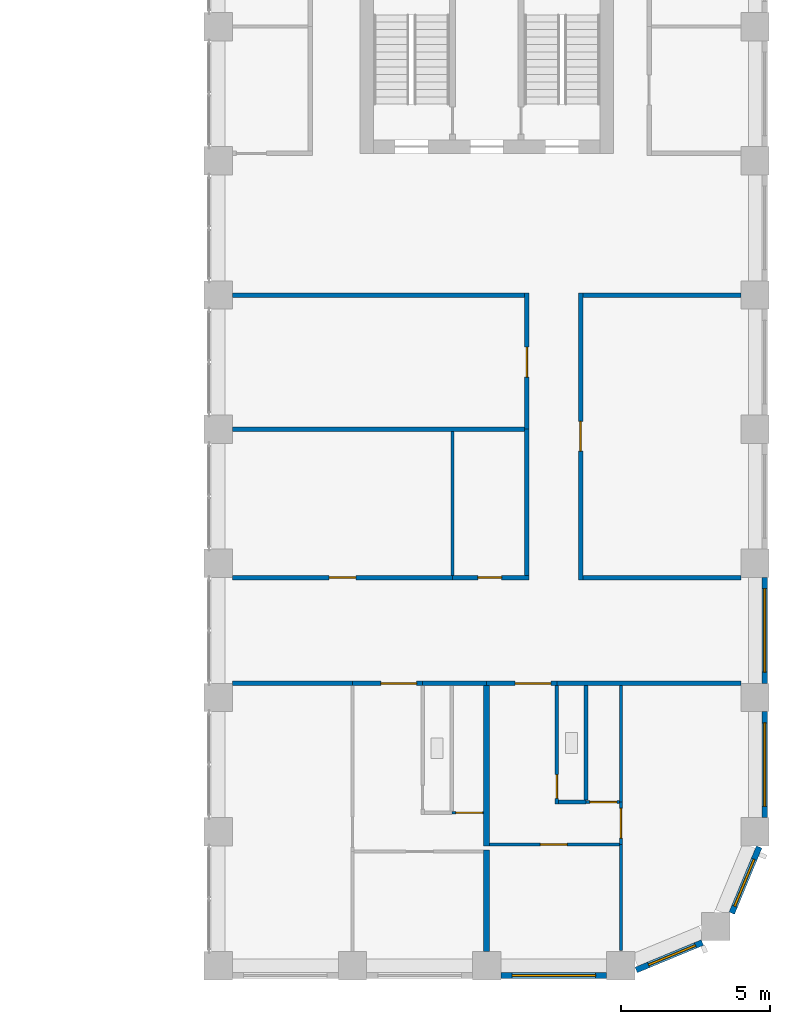
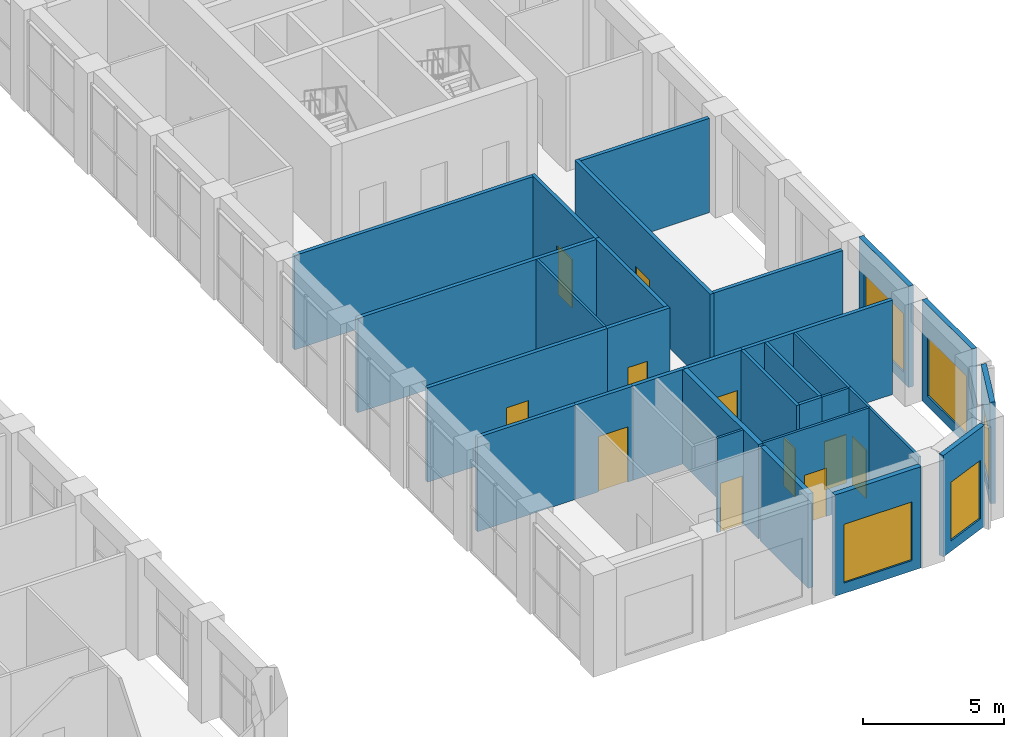
# One storey, part 11 of 19: 31 walls, 11 doors, 5 windows, 16 openings.
"""IFC4 building model written with IfcOpenShell, lengths in metres."""

from ifc_helpers import new_model, si_unit, direction, frame, frame_2d, origin, place, context, subcontext, project, spatial, rectangle, extrude, material, layer, layer_set, type_object, element, fill, save


model = new_model("IFC4")

# Units and contexts
model_context = context("Model", 3, precision=1e-05, world=origin(), true_north=direction((0.0, 1.0)))
body_context = subcontext(model_context, "Body", "Model", "MODEL_VIEW")
ifc_project = project(units=[si_unit("LENGTHUNIT", "METRE"), si_unit("AREAUNIT", "SQUARE_METRE"), si_unit("VOLUMEUNIT", "CUBIC_METRE"), si_unit("PLANEANGLEUNIT", "RADIAN"), si_unit("MASSUNIT", "GRAM", prefix="KILO")], contexts=[model_context])

# Site, building, storey
site_placement = place(None, origin())
site = spatial("IfcSite", under=ifc_project, at=site_placement, CompositionType="ELEMENT")
building_placement = place(site_placement, origin())
building = spatial("IfcBuilding", under=site, at=building_placement, Name="Girih Gate Residences", CompositionType="ELEMENT")
storey_placement = place(building_placement, frame((0.0, 0.0, 163.800048828125)))
storey = spatial("IfcBuildingStorey", under=building, at=storey_placement, Name="L45", CompositionType="ELEMENT", Elevation=163.800048828125)

# Wall
ifc_material_1 = material(Name="Gypsum board on steel studs", Category="steel")
ifc_layer_1 = layer(ifc_material_1, 0.14990234375)
ifc_layer_set_1 = layer_set([ifc_layer_1], Name="Compartment wall 150 mm")
wall_type_1 = type_object("IfcWallType", Name="Compartment wall 150 mm", PredefinedType="PARTITIONING", material=ifc_layer_set_1)
wall_1_placement = place(storey_placement, frame((42.85009765625, 9.47509765625, 0.0), z_axis=(0.0, 0.0, 1.0), x_axis=(1.0, 0.0, 0.0)))
element("IfcWall", 1, at=wall_1_placement, inside=storey, type_object=wall_type_1, Name="L45 partition", PredefinedType="PARTITIONING", context=body_context, shape_type="SweptSolid", body=[
    extrude(rectangle(XDim=6.1748046875, YDim=0.14990234375, at=frame_2d((3.08740234375, 0.0))), origin(), (0.0, 0.0, 1.0), 4.099853515625),
])

# Wall, opening, door
wall_2_placement = place(storey_placement, frame((42.85009765625, 9.47509765625, 0.0), z_axis=(0.0, 0.0, 1.0), x_axis=(-1.0, 0.0, 0.0)))
wall_2 = element("IfcWall", 2, at=wall_2_placement, inside=storey, type_object=wall_type_1, Name="L45 partition", PredefinedType="PARTITIONING", context=body_context, shape_type="SweptSolid", body=[
    extrude(rectangle(XDim=2.35009765625, YDim=0.14990234375, at=frame_2d((1.175048828125, 0.0))), origin(), (0.0, 0.0, 1.0), 4.099853515625),
])
opening_1_placement = place(wall_2_placement, frame((0.199951171875, 0.0, 0.0)))
opening_1 = element("IfcOpeningElement", 3, at=opening_1_placement, cuts=wall_2, Name="Opening A45-019", PredefinedType="OPENING", context=body_context, shape_type="SweptSolid", body=[
    extrude(rectangle(XDim=1.199951171875, YDim=2.39990234375, at=frame_2d((0.60009765625, 1.199951171875))), frame((0.0, 0.0849609375, 0.0), z_axis=(0.0, -1.0, 0.0), x_axis=(1.0, 0.0, 0.0)), (0.0, 0.0, 1.0), 0.169921875),
])
ifc_material_2 = material(Name="Timber, fire-rated core", Category="wood")
door_type_1 = type_object("IfcDoorType", Name="Villa entrance door 1200x2400 FD30S", OperationType="NOTDEFINED", PredefinedType="DOOR", material=ifc_material_2)
door_1_placement = place(opening_1_placement, origin())
door_1 = element("IfcDoor", 4, at=door_1_placement, inside=storey, type_object=door_type_1, Name="Door A45-019", OperationType="SINGLE_SWING_LEFT", OverallHeight=2.39990234375, OverallWidth=1.199951171875, PredefinedType="DOOR", context=body_context, shape_type="SweptSolid", body=[
    extrude(rectangle(XDim=1.199951171875, YDim=2.39990234375, at=frame_2d((0.60009765625, 1.199951171875))), frame((0.0, 0.02490234375, 0.0), z_axis=(0.0, -1.0, 0.0), x_axis=(1.0, 0.0, 0.0)), (0.0, 0.0, 1.0), 0.050048828125),
])
fill(opening_1, door_1)

# Wall
wall_3_placement = place(storey_placement, frame((38.35009765625, 9.47509765625, 0.0), z_axis=(0.0, 0.0, 1.0), x_axis=(1.0, 0.0, 0.0)))
element("IfcWall", 5, at=wall_3_placement, inside=storey, type_object=wall_type_1, Name="L45 partition", PredefinedType="PARTITIONING", context=body_context, shape_type="SweptSolid", body=[
    extrude(rectangle(XDim=2.14990234375, YDim=0.14990234375, at=frame_2d((1.074951171875, 0.0))), origin(), (0.0, 0.0, 1.0), 4.099853515625),
])

# Wall, opening, door
wall_4_placement = place(storey_placement, frame((38.35009765625, 9.47509765625, 0.0), z_axis=(0.0, 0.0, 1.0), x_axis=(-1.0, 0.0, 0.0)))
wall_4 = element("IfcWall", 6, at=wall_4_placement, inside=storey, type_object=wall_type_1, Name="L45 partition", PredefinedType="PARTITIONING", context=body_context, shape_type="SweptSolid", body=[
    extrude(rectangle(XDim=2.35009765625, YDim=0.14990234375, at=frame_2d((1.175048828125, 0.0))), origin(), (0.0, 0.0, 1.0), 4.099853515625),
])
opening_2_placement = place(wall_4_placement, frame((0.199951171875, 0.0, 0.0)))
opening_2 = element("IfcOpeningElement", 7, at=opening_2_placement, cuts=wall_4, Name="Opening A45-024", PredefinedType="OPENING", context=body_context, shape_type="SweptSolid", body=[
    extrude(rectangle(XDim=1.199951171875, YDim=2.39990234375, at=frame_2d((0.60009765625, 1.199951171875))), frame((0.0, 0.0849609375, 0.0), z_axis=(0.0, -1.0, 0.0), x_axis=(1.0, 0.0, 0.0)), (0.0, 0.0, 1.0), 0.169921875),
])
door_2_placement = place(opening_2_placement, origin())
door_2 = element("IfcDoor", 8, at=door_2_placement, inside=storey, type_object=door_type_1, Name="Door A45-024", OperationType="SINGLE_SWING_LEFT", OverallHeight=2.39990234375, OverallWidth=1.199951171875, PredefinedType="DOOR", context=body_context, shape_type="SweptSolid", body=[
    extrude(rectangle(XDim=1.199951171875, YDim=2.39990234375, at=frame_2d((0.60009765625, 1.199951171875))), frame((0.0, 0.02490234375, 0.0), z_axis=(0.0, -1.0, 0.0), x_axis=(1.0, 0.0, 0.0)), (0.0, 0.0, 1.0), 0.050048828125),
])
fill(opening_2, door_2)

# Walls
wall_5_placement = place(storey_placement, frame((31.97509765625, 9.47509765625, 0.0), z_axis=(0.0, 0.0, 1.0), x_axis=(1.0, 0.0, 0.0)))
element("IfcWall", 9, at=wall_5_placement, inside=storey, type_object=wall_type_1, Name="L45 partition", PredefinedType="PARTITIONING", context=body_context, shape_type="SweptSolid", body=[
    extrude(rectangle(XDim=4.02490234375, YDim=0.14990234375, at=frame_2d((2.012451171875, 0.0))), origin(), (0.0, 0.0, 1.0), 4.099853515625),
])
wall_6_placement = place(storey_placement, frame((31.97509765625, 22.5, 0.0), z_axis=(0.0, 0.0, 1.0), x_axis=(1.0, 0.0, 0.0)))
element("IfcWall", 10, at=wall_6_placement, inside=storey, type_object=wall_type_1, Name="L45 partition", PredefinedType="PARTITIONING", context=body_context, shape_type="SweptSolid", body=[
    extrude(rectangle(XDim=9.7998046875, YDim=0.14990234375, at=frame_2d((4.89990234375, 0.0))), origin(), (0.0, 0.0, 1.0), 4.099853515625),
])

# Wall, opening, door
wall_7_placement = place(storey_placement, frame((41.85009765625, 18.0, 0.0), z_axis=(0.0, 0.0, 1.0), x_axis=(0.0, 1.0, 0.0)))
wall_7 = element("IfcWall", 11, at=wall_7_placement, inside=storey, type_object=wall_type_1, Name="L45 partition", PredefinedType="PARTITIONING", context=body_context, shape_type="SweptSolid", body=[
    extrude(rectangle(XDim=4.574951171875, YDim=0.14990234375, at=frame_2d((2.28759765625, 0.0))), origin(), (0.0, 0.0, 1.0), 4.099853515625),
])
opening_3_placement = place(wall_7_placement, frame((1.75, 0.0, 0.0)))
opening_3 = element("IfcOpeningElement", 12, at=opening_3_placement, cuts=wall_7, Name="Opening A45-030", PredefinedType="OPENING", context=body_context, shape_type="SweptSolid", body=[
    extrude(rectangle(XDim=1.0, YDim=2.10009765625, at=frame_2d((0.5, 1.050048828125))), frame((0.0, 0.0849609375, 0.0), z_axis=(0.0, -1.0, 0.0), x_axis=(1.0, 0.0, 0.0)), (0.0, 0.0, 1.0), 0.169921875),
])
door_type_2 = type_object("IfcDoorType", Name="Amenity room door 1000x2100 FD30S", OperationType="NOTDEFINED", PredefinedType="DOOR", material=ifc_material_2)
door_3_placement = place(opening_3_placement, origin())
door_3 = element("IfcDoor", 13, at=door_3_placement, inside=storey, type_object=door_type_2, Name="Door A45-030", OperationType="SINGLE_SWING_LEFT", OverallHeight=2.10009765625, OverallWidth=1.0, PredefinedType="DOOR", context=body_context, shape_type="SweptSolid", body=[
    extrude(rectangle(XDim=1.0, YDim=2.10009765625, at=frame_2d((0.5, 1.050048828125))), frame((0.0, 0.02490234375, 0.0), z_axis=(0.0, -1.0, 0.0), x_axis=(1.0, 0.0, 0.0)), (0.0, 0.0, 1.0), 0.050048828125),
])
fill(opening_3, door_3)

# Wall
wall_8_placement = place(storey_placement, frame((31.97509765625, 18.0, 0.0), z_axis=(0.0, 0.0, 1.0), x_axis=(1.0, 0.0, 0.0)))
element("IfcWall", 14, at=wall_8_placement, inside=storey, type_object=wall_type_1, Name="L45 partition", PredefinedType="PARTITIONING", context=body_context, shape_type="SweptSolid", body=[
    extrude(rectangle(XDim=9.7998046875, YDim=0.14990234375, at=frame_2d((4.89990234375, 0.0))), origin(), (0.0, 0.0, 1.0), 4.099853515625),
])

# Wall, opening, door
wall_9_placement = place(storey_placement, frame((31.97509765625, 13.02490234375, 0.0), z_axis=(0.0, 0.0, 1.0), x_axis=(1.0, 0.0, 0.0)))
wall_9 = element("IfcWall", 15, at=wall_9_placement, inside=storey, type_object=wall_type_1, Name="L45 partition", PredefinedType="PARTITIONING", context=body_context, shape_type="SweptSolid", body=[
    extrude(rectangle(XDim=7.375, YDim=0.14990234375, at=frame_2d((3.6875, 0.0))), origin(), (0.0, 0.0, 1.0), 4.099853515625),
])
opening_4_placement = place(wall_9_placement, frame((3.237548828125, 0.0, 0.0)))
opening_4 = element("IfcOpeningElement", 16, at=opening_4_placement, cuts=wall_9, Name="Opening A45-032", PredefinedType="OPENING", context=body_context, shape_type="SweptSolid", body=[
    extrude(rectangle(XDim=0.89990234375, YDim=2.10009765625, at=frame_2d((0.449951171875, 1.050048828125))), frame((0.0, 0.0849609375, 0.0), z_axis=(0.0, -1.0, 0.0), x_axis=(1.0, 0.0, 0.0)), (0.0, 0.0, 1.0), 0.169921875),
])
ifc_material_3 = material(Name="Timber", Category="wood")
door_type_3 = type_object("IfcDoorType", Name="Service room door 900x2100", OperationType="NOTDEFINED", PredefinedType="DOOR", material=ifc_material_3)
door_4_placement = place(opening_4_placement, origin())
door_4 = element("IfcDoor", 17, at=door_4_placement, inside=storey, type_object=door_type_3, Name="Door A45-032", OperationType="SINGLE_SWING_LEFT", OverallHeight=2.10009765625, OverallWidth=0.89990234375, PredefinedType="DOOR", context=body_context, shape_type="SweptSolid", body=[
    extrude(rectangle(XDim=0.89990234375, YDim=2.10009765625, at=frame_2d((0.449951171875, 1.050048828125))), frame((0.0, 0.02490234375, 0.0), z_axis=(0.0, -1.0, 0.0), x_axis=(1.0, 0.0, 0.0)), (0.0, 0.0, 1.0), 0.050048828125),
])
fill(opening_4, door_4)

wall_10_placement = place(storey_placement, frame((39.35009765625, 13.02490234375, 0.0), z_axis=(0.0, 0.0, 1.0), x_axis=(1.0, 0.0, 0.0)))
wall_10 = element("IfcWall", 18, at=wall_10_placement, inside=storey, type_object=wall_type_1, Name="L45 partition", PredefinedType="PARTITIONING", context=body_context, shape_type="SweptSolid", body=[
    extrude(rectangle(XDim=2.574951171875, YDim=0.14990234375, at=frame_2d((1.28759765625, 0.0))), origin(), (0.0, 0.0, 1.0), 4.099853515625),
])
opening_5_placement = place(wall_10_placement, frame((0.85009765625, 0.0, 0.0)))
opening_5 = element("IfcOpeningElement", 19, at=opening_5_placement, cuts=wall_10, Name="Opening A45-033", PredefinedType="OPENING", context=body_context, shape_type="SweptSolid", body=[
    extrude(rectangle(XDim=0.800048828125, YDim=2.10009765625, at=frame_2d((0.39990234375, 1.050048828125))), frame((0.0, 0.0849609375, 0.0), z_axis=(0.0, -1.0, 0.0), x_axis=(1.0, 0.0, 0.0)), (0.0, 0.0, 1.0), 0.169921875),
])
door_type_4 = type_object("IfcDoorType", Name="Bathroom door 800x2100", OperationType="NOTDEFINED", PredefinedType="DOOR", material=ifc_material_3)
door_5_placement = place(opening_5_placement, origin())
door_5 = element("IfcDoor", 20, at=door_5_placement, inside=storey, type_object=door_type_4, Name="Door A45-033", OperationType="SINGLE_SWING_LEFT", OverallHeight=2.10009765625, OverallWidth=0.800048828125, PredefinedType="DOOR", context=body_context, shape_type="SweptSolid", body=[
    extrude(rectangle(XDim=0.800048828125, YDim=2.10009765625, at=frame_2d((0.39990234375, 1.050048828125))), frame((0.0, 0.02490234375, 0.0), z_axis=(0.0, -1.0, 0.0), x_axis=(1.0, 0.0, 0.0)), (0.0, 0.0, 1.0), 0.050048828125),
])
fill(opening_5, door_5)

# Walls
for number, where, z_axis, x_axis, name in (
    (21, (43.72509765625, 13.02490234375, 0.0), (0.0, 0.0, 1.0), (1.0, 0.0, 0.0), "L45 partition"),
    (22, (43.72509765625, 22.5, 0.0), (0.0, 0.0, 1.0), (1.0, 0.0, 0.0), "L45 partition"),
):
    element("IfcWall", number, at=place(storey_placement, frame(where, z_axis=z_axis, x_axis=x_axis)), inside=storey, type_object=wall_type_1, Name=name, PredefinedType="PARTITIONING", context=body_context, shape_type="SweptSolid", body=[
        extrude(rectangle(XDim=5.2998046875, YDim=0.14990234375, at=frame_2d((2.64990234375, 0.0))), origin(), (0.0, 0.0, 1.0), 4.099853515625),
    ])
wall_11_placement = place(storey_placement, frame((41.85009765625, 13.10009765625, 0.0), z_axis=(0.0, 0.0, 1.0), x_axis=(0.0, 1.0, 0.0)))
element("IfcWall", 23, at=wall_11_placement, inside=storey, type_object=wall_type_1, Name="L45 partition", PredefinedType="PARTITIONING", context=body_context, shape_type="SweptSolid", body=[
    extrude(rectangle(XDim=4.89990234375, YDim=0.14990234375, at=frame_2d((2.449951171875, 0.0))), origin(), (0.0, 0.0, 1.0), 4.099853515625),
])

# Wall, opening, door
wall_12_placement = place(storey_placement, frame((43.64990234375, 22.574951171875, 0.0), z_axis=(0.0, 0.0, 1.0), x_axis=(0.0, -1.0, 0.0)))
wall_12 = element("IfcWall", 24, at=wall_12_placement, inside=storey, type_object=wall_type_1, Name="L45 partition", PredefinedType="PARTITIONING", context=body_context, shape_type="SweptSolid", body=[
    extrude(rectangle(XDim=9.625, YDim=0.14990234375, at=frame_2d((4.8125, 0.0))), origin(), (0.0, 0.0, 1.0), 4.099853515625),
])
opening_6_placement = place(wall_12_placement, frame((4.3125, 0.0, 0.0)))
opening_6 = element("IfcOpeningElement", 25, at=opening_6_placement, cuts=wall_12, Name="Opening A45-049", PredefinedType="OPENING", context=body_context, shape_type="SweptSolid", body=[
    extrude(rectangle(XDim=1.0, YDim=2.10009765625, at=frame_2d((0.5, 1.050048828125))), frame((0.0, 0.0849609375, 0.0), z_axis=(0.0, -1.0, 0.0), x_axis=(1.0, 0.0, 0.0)), (0.0, 0.0, 1.0), 0.169921875),
])
door_6_placement = place(opening_6_placement, origin())
door_6 = element("IfcDoor", 26, at=door_6_placement, inside=storey, type_object=door_type_2, Name="Door A45-049", OperationType="SINGLE_SWING_RIGHT", OverallHeight=2.10009765625, OverallWidth=1.0, PredefinedType="DOOR", context=body_context, shape_type="SweptSolid", body=[
    extrude(rectangle(XDim=1.0, YDim=2.10009765625, at=frame_2d((0.5, 1.050048828125))), frame((0.0, 0.02490234375, 0.0), z_axis=(0.0, -1.0, 0.0), x_axis=(1.0, 0.0, 0.0)), (0.0, 0.0, 1.0), 0.050048828125),
])
fill(opening_6, door_6)

ifc_layer_2 = layer(ifc_material_1, 0.10009765625)
ifc_layer_set_2 = layer_set([ifc_layer_2], Name="Partition 100 mm")
wall_type_2 = type_object("IfcWallType", Name="Partition 100 mm", PredefinedType="PARTITIONING", material=ifc_layer_set_2)
wall_13_placement = place(storey_placement, frame((44.949951171875, 4.074951171875, 0.0), z_axis=(0.0, 0.0, 1.0), x_axis=(-1.0, 0.0, 0.0)))
wall_13 = element("IfcWall", 27, at=wall_13_placement, inside=storey, type_object=wall_type_2, Name="L45 partition", PredefinedType="PARTITIONING", context=body_context, shape_type="SweptSolid", body=[
    extrude(rectangle(XDim=4.349853515625, YDim=0.10009765625, at=frame_2d((2.1748046875, 0.0))), origin(), (0.0, 0.0, 1.0), 4.099853515625),
])
opening_7_placement = place(wall_13_placement, frame((1.75, 0.0, 0.0)))
opening_7 = element("IfcOpeningElement", 28, at=opening_7_placement, cuts=wall_13, Name="Opening A45-016", PredefinedType="OPENING", context=body_context, shape_type="SweptSolid", body=[
    extrude(rectangle(XDim=0.89990234375, YDim=2.10009765625, at=frame_2d((0.449951171875, 1.050048828125))), frame((0.0, 0.06005859375, 0.0), z_axis=(0.0, -1.0, 0.0), x_axis=(1.0, 0.0, 0.0)), (0.0, 0.0, 1.0), 0.1201171875),
])
door_type_5 = type_object("IfcDoorType", Name="Bedroom door 900x2100", OperationType="NOTDEFINED", PredefinedType="DOOR", material=ifc_material_3)
door_7_placement = place(opening_7_placement, origin())
door_7 = element("IfcDoor", 29, at=door_7_placement, inside=storey, type_object=door_type_5, Name="Door A45-016", OperationType="SINGLE_SWING_RIGHT", OverallHeight=2.10009765625, OverallWidth=0.89990234375, PredefinedType="DOOR", context=body_context, shape_type="SweptSolid", body=[
    extrude(rectangle(XDim=0.89990234375, YDim=2.10009765625, at=frame_2d((0.449951171875, 1.050048828125))), frame((0.0, 0.02490234375, 0.0), z_axis=(0.0, -1.0, 0.0), x_axis=(1.0, 0.0, 0.0)), (0.0, 0.0, 1.0), 0.050048828125),
])
fill(opening_7, door_7)

# Wall
wall_14_placement = place(storey_placement, frame((45.0, 0.51416015625, 0.0), z_axis=(0.0, 0.0, 1.0), x_axis=(0.0, 1.0, 0.0)))
element("IfcWall", 30, at=wall_14_placement, inside=storey, type_object=wall_type_2, Name="L45 partition", PredefinedType="PARTITIONING", context=body_context, shape_type="SweptSolid", body=[
    extrude(rectangle(XDim=3.560791015625, YDim=0.10009765625, at=frame_2d((1.7802734375, 0.0))), origin(), (0.0, 0.0, 1.0), 4.099853515625),
])

# Wall, opening, door
wall_15_placement = place(storey_placement, frame((43.827392578125, 5.4951171875, 0.0), z_axis=(0.0, 0.0, 1.0), x_axis=(1.0, 0.0, 0.0)))
wall_15 = element("IfcWall", 31, at=wall_15_placement, inside=storey, type_object=wall_type_2, Name="L45 partition", PredefinedType="PARTITIONING", context=body_context, shape_type="SweptSolid", body=[
    extrude(rectangle(XDim=1.12255859375, YDim=0.10009765625, at=frame_2d((0.561279296875, 0.0))), origin(), (0.0, 0.0, 1.0), 4.099853515625),
])
opening_8_placement = place(wall_15_placement, frame((0.136474609375, 0.0, 0.0)))
opening_8 = element("IfcOpeningElement", 32, at=opening_8_placement, cuts=wall_15, Name="Opening A45-017", PredefinedType="OPENING", context=body_context, shape_type="SweptSolid", body=[
    extrude(rectangle(XDim=0.89990234375, YDim=2.10009765625, at=frame_2d((0.449951171875, 1.050048828125))), frame((0.0, 0.06005859375, 0.0), z_axis=(0.0, -1.0, 0.0), x_axis=(1.0, 0.0, 0.0)), (0.0, 0.0, 1.0), 0.1201171875),
])
door_type_6 = type_object("IfcDoorType", Name="Kitchen door 900x2100", OperationType="NOTDEFINED", PredefinedType="DOOR", material=ifc_material_3)
door_8_placement = place(opening_8_placement, origin())
door_8 = element("IfcDoor", 33, at=door_8_placement, inside=storey, type_object=door_type_6, Name="Door A45-017", OperationType="SINGLE_SWING_RIGHT", OverallHeight=2.10009765625, OverallWidth=0.89990234375, PredefinedType="DOOR", context=body_context, shape_type="SweptSolid", body=[
    extrude(rectangle(XDim=0.89990234375, YDim=2.10009765625, at=frame_2d((0.449951171875, 1.050048828125))), frame((0.0, 0.02490234375, 0.0), z_axis=(0.0, -1.0, 0.0), x_axis=(1.0, 0.0, 0.0)), (0.0, 0.0, 1.0), 0.050048828125),
])
fill(opening_8, door_8)

wall_16_placement = place(storey_placement, frame((45.0, 5.4951171875, 0.0), z_axis=(0.0, 0.0, 1.0), x_axis=(0.0, -1.0, 0.0)))
wall_16 = element("IfcWall", 34, at=wall_16_placement, inside=storey, type_object=wall_type_2, Name="L45 partition", PredefinedType="PARTITIONING", context=body_context, shape_type="SweptSolid", body=[
    extrude(rectangle(XDim=1.420166015625, YDim=0.10009765625, at=frame_2d((0.7099609375, 0.0))), origin(), (0.0, 0.0, 1.0), 4.099853515625),
])
opening_9_placement = place(wall_16_placement, frame((0.2099609375, 0.0, 0.0)))
opening_9 = element("IfcOpeningElement", 35, at=opening_9_placement, cuts=wall_16, Name="Opening A45-018", PredefinedType="OPENING", context=body_context, shape_type="SweptSolid", body=[
    extrude(rectangle(XDim=1.0, YDim=2.10009765625, at=frame_2d((0.5, 1.050048828125))), frame((0.0, 0.06005859375, 0.0), z_axis=(0.0, -1.0, 0.0), x_axis=(1.0, 0.0, 0.0)), (0.0, 0.0, 1.0), 0.1201171875),
])
door_type_7 = type_object("IfcDoorType", Name="Living room door 1000x2100", OperationType="NOTDEFINED", PredefinedType="DOOR", material=ifc_material_3)
door_9_placement = place(opening_9_placement, origin())
door_9 = element("IfcDoor", 36, at=door_9_placement, inside=storey, type_object=door_type_7, Name="Door A45-018", OperationType="SINGLE_SWING_RIGHT", OverallHeight=2.10009765625, OverallWidth=1.0, PredefinedType="DOOR", context=body_context, shape_type="SweptSolid", body=[
    extrude(rectangle(XDim=1.0, YDim=2.10009765625, at=frame_2d((0.5, 1.050048828125))), frame((0.0, 0.02490234375, 0.0), z_axis=(0.0, -1.0, 0.0), x_axis=(1.0, 0.0, 0.0)), (0.0, 0.0, 1.0), 0.050048828125),
])
fill(opening_9, door_9)

# Wall
wall_17_placement = place(storey_placement, frame((45.0, 5.4951171875, 0.0), z_axis=(0.0, 0.0, 1.0), x_axis=(0.0, 1.0, 0.0)))
element("IfcWall", 37, at=wall_17_placement, inside=storey, type_object=wall_type_2, Name="L45 partition", PredefinedType="PARTITIONING", context=body_context, shape_type="SweptSolid", body=[
    extrude(rectangle(XDim=3.90478515625, YDim=0.10009765625, at=frame_2d((1.952392578125, 0.0))), origin(), (0.0, 0.0, 1.0), 4.099853515625),
])

# Wall, opening, door
wall_18_placement = place(storey_placement, frame((39.327392578125, 5.135009765625, 0.0), z_axis=(0.0, 0.0, 1.0), x_axis=(1.0, 0.0, 0.0)))
wall_18 = element("IfcWall", 38, at=wall_18_placement, inside=storey, type_object=wall_type_2, Name="L45 partition", PredefinedType="PARTITIONING", context=body_context, shape_type="SweptSolid", body=[
    extrude(rectangle(XDim=1.072509765625, YDim=0.10009765625, at=frame_2d((0.5361328125, 0.0))), origin(), (0.0, 0.0, 1.0), 4.099853515625),
])
opening_10_placement = place(wall_18_placement, frame((0.136474609375, 0.0, 0.0)))
opening_10 = element("IfcOpeningElement", 39, at=opening_10_placement, cuts=wall_18, Name="Opening A45-022", PredefinedType="OPENING", context=body_context, shape_type="SweptSolid", body=[
    extrude(rectangle(XDim=0.89990234375, YDim=2.10009765625, at=frame_2d((0.449951171875, 1.050048828125))), frame((0.0, 0.06005859375, 0.0), z_axis=(0.0, -1.0, 0.0), x_axis=(1.0, 0.0, 0.0)), (0.0, 0.0, 1.0), 0.1201171875),
])
door_10_placement = place(opening_10_placement, origin())
door_10 = element("IfcDoor", 40, at=door_10_placement, inside=storey, type_object=door_type_6, Name="Door A45-022", OperationType="SINGLE_SWING_RIGHT", OverallHeight=2.10009765625, OverallWidth=0.89990234375, PredefinedType="DOOR", context=body_context, shape_type="SweptSolid", body=[
    extrude(rectangle(XDim=0.89990234375, YDim=2.10009765625, at=frame_2d((0.449951171875, 1.050048828125))), frame((0.0, 0.02490234375, 0.0), z_axis=(0.0, -1.0, 0.0), x_axis=(1.0, 0.0, 0.0)), (0.0, 0.0, 1.0), 0.050048828125),
])
fill(opening_10, door_10)

# Walls
wall_19_placement = place(storey_placement, frame((39.35009765625, 13.10009765625, 0.0), z_axis=(0.0, 0.0, 1.0), x_axis=(0.0, 1.0, 0.0)))
element("IfcWall", 41, at=wall_19_placement, inside=storey, type_object=wall_type_2, Name="L45 partition", PredefinedType="PARTITIONING", context=body_context, shape_type="SweptSolid", body=[
    extrude(rectangle(XDim=4.824951171875, YDim=0.10009765625, at=frame_2d((2.41259765625, 0.0))), origin(), (0.0, 0.0, 1.0), 4.099853515625),
])
ifc_layer_3 = layer(ifc_material_1, 0.199951171875)
ifc_layer_set_3 = layer_set([ifc_layer_3], Name="Party wall 200 mm")
wall_type_3 = type_object("IfcWallType", Name="Party wall 200 mm", PredefinedType="PARTITIONING", material=ifc_layer_set_3)
wall_20_placement = place(storey_placement, frame((40.5, 0.47509765625, 0.0), z_axis=(0.0, 0.0, 1.0), x_axis=(0.0, 1.0, 0.0)))
element("IfcWall", 42, at=wall_20_placement, inside=storey, type_object=wall_type_3, Name="L45 partition", PredefinedType="PARTITIONING", context=body_context, shape_type="SweptSolid", body=[
    extrude(rectangle(XDim=3.409912109375, YDim=0.199951171875, at=frame_2d((1.705078125, 0.0))), origin(), (0.0, 0.0, 1.0), 4.099853515625),
])
wall_21_placement = place(storey_placement, frame((40.5, 4.02490234375, 0.0), z_axis=(0.0, 0.0, 1.0), x_axis=(0.0, 1.0, 0.0)))
element("IfcWall", 43, at=wall_21_placement, inside=storey, type_object=wall_type_3, Name="L45 partition", PredefinedType="PARTITIONING", context=body_context, shape_type="SweptSolid", body=[
    extrude(rectangle(XDim=5.375, YDim=0.199951171875, at=frame_2d((2.6875, 0.0))), origin(), (0.0, 0.0, 1.0), 4.099853515625),
])

# Wall, opening, window
ifc_material_4 = material(Name="Precast concrete C50/60", Category="concrete")
ifc_layer_4 = layer(ifc_material_4, 0.06005859375, Name="Outer leaf")
ifc_material_5 = material(Name="Rigid PIR insulation")
ifc_layer_5 = layer(ifc_material_5, 0.090087890625, Name="Insulation")
ifc_material_6 = material(Name="Precast concrete C40/50", Category="concrete")
ifc_layer_6 = layer(ifc_material_6, 0.050048828125, Name="Inner leaf")
ifc_layer_set_4 = layer_set([ifc_layer_4, ifc_layer_5, ifc_layer_6], Name="Precast concrete C50/60 external wall 200")
wall_type_4 = type_object("IfcWallType", Name="Precast concrete C50/60 external wall 200", PredefinedType="SOLIDWALL", material=ifc_layer_set_4)
wall_22_placement = place(storey_placement, frame((44.52490234375, -0.324951171875, 0.0), z_axis=(0.0, 0.0, 1.0), x_axis=(-1.0, 0.0, 0.0)))
wall_22 = element("IfcWall", 44, at=wall_22_placement, inside=storey, type_object=wall_type_4, Name="External wall S0315_0000.2", PredefinedType="SOLIDWALL", context=body_context, shape_type="SweptSolid", body=[
    extrude(rectangle(XDim=3.5498046875, YDim=0.199951171875, at=frame_2d((1.77490234375, 0.0))), origin(), (0.0, 0.0, 1.0), 4.39990234375),
])
opening_11_placement = place(wall_22_placement, frame((0.375, 0.0, 0.449951171875)))
opening_11 = element("IfcOpeningElement", 45, at=opening_11_placement, cuts=wall_22, Name="Opening W-6A", PredefinedType="OPENING", context=body_context, shape_type="SweptSolid", body=[
    extrude(rectangle(XDim=2.800048828125, YDim=2.550048828125, at=frame_2d((1.39990234375, 1.27490234375))), frame((0.0, 0.10986328125, 0.0), z_axis=(0.0, -1.0, 0.0), x_axis=(1.0, 0.0, 0.0)), (0.0, 0.0, 1.0), 0.219970703125),
])
ifc_material_7 = material(Name="Double glazing in aluminium frame", Category="aluminium")
window_type_1 = type_object("IfcWindowType", Name="Window W-6A 2800x2550", PartitioningType="SINGLE_PANEL", PredefinedType="WINDOW", material=ifc_material_7)
window_1_placement = place(opening_11_placement, origin())
window_1 = element("IfcWindow", 46, at=window_1_placement, inside=storey, type_object=window_type_1, Name="Window W-6A S0315_0000.2", OverallHeight=2.550048828125, OverallWidth=2.800048828125, PartitioningType="SINGLE_PANEL", PredefinedType="WINDOW", context=body_context, shape_type="SweptSolid", body=[
    extrude(rectangle(XDim=2.800048828125, YDim=2.550048828125, at=frame_2d((1.39990234375, 1.27490234375))), frame((0.0, 0.030029296875, 0.0), z_axis=(0.0, -1.0, 0.0), x_axis=(1.0, 0.0, 0.0)), (0.0, 0.0, 1.0), 0.06005859375),
])
fill(opening_11, window_1)

wall_23_placement = place(storey_placement, frame((47.73291015625, 0.7802734375, 0.0), z_axis=(0.0, 0.0, 1.0), x_axis=(-0.923880599843, -0.382680855588, 0.0)))
wall_23 = element("IfcWall", 47, at=wall_23_placement, inside=storey, type_object=wall_type_4, Name="External wall SE0450_0000.0", PredefinedType="SOLIDWALL", context=body_context, shape_type="SweptSolid", body=[
    extrude(rectangle(XDim=2.402587890625, YDim=0.199951171875, at=frame_2d((1.201171875, 0.0))), origin(), (0.0, 0.0, 1.0), 4.39990234375),
])
opening_12_placement = place(wall_23_placement, frame((0.25146484375, 0.0, 0.449951171875)))
opening_12 = element("IfcOpeningElement", 48, at=opening_12_placement, cuts=wall_23, Name="Opening W-2F", PredefinedType="OPENING", context=body_context, shape_type="SweptSolid", body=[
    extrude(rectangle(XDim=1.699951171875, YDim=2.550048828125, at=frame_2d((0.85009765625, 1.27490234375))), frame((0.0, 0.10986328125, 0.0), z_axis=(0.0, -1.0, 0.0), x_axis=(1.0, 0.0, 0.0)), (0.0, 0.0, 1.0), 0.219970703125),
])
window_type_2 = type_object("IfcWindowType", Name="Window W-2F 1700x2550", PartitioningType="SINGLE_PANEL", PredefinedType="WINDOW", material=ifc_material_7)
window_2_placement = place(opening_12_placement, origin())
window_2 = element("IfcWindow", 49, at=window_2_placement, inside=storey, type_object=window_type_2, Name="Window W-2F SE0450_0000.0", OverallHeight=2.550048828125, OverallWidth=1.699951171875, PartitioningType="SINGLE_PANEL", PredefinedType="WINDOW", context=body_context, shape_type="SweptSolid", body=[
    extrude(rectangle(XDim=1.699951171875, YDim=2.550048828125, at=frame_2d((0.85009765625, 1.27490234375))), frame((0.0, 0.030029296875, 0.0), z_axis=(0.0, -1.0, 0.0), x_axis=(1.0, 0.0, 0.0)), (0.0, 0.0, 1.0), 0.06005859375),
])
fill(opening_12, window_2)

wall_24_placement = place(storey_placement, frame((49.63916015625, 3.98681640625, 0.0), z_axis=(0.0, 0.0, 1.0), x_axis=(-0.382680855588, -0.923880599843, 0.0)))
wall_24 = element("IfcWall", 50, at=wall_24_placement, inside=storey, type_object=wall_type_4, Name="External wall SE0482_0013.0", PredefinedType="SOLIDWALL", context=body_context, shape_type="SweptSolid", body=[
    extrude(rectangle(XDim=2.402587890625, YDim=0.199951171875, at=frame_2d((1.201171875, 0.0))), origin(), (0.0, 0.0, 1.0), 4.39990234375),
])
opening_13_placement = place(wall_24_placement, frame((0.451171875, 0.0, 0.449951171875)))
opening_13 = element("IfcOpeningElement", 51, at=opening_13_placement, cuts=wall_24, Name="Opening W-2F", PredefinedType="OPENING", context=body_context, shape_type="SweptSolid", body=[
    extrude(rectangle(XDim=1.699951171875, YDim=2.550048828125, at=frame_2d((0.85009765625, 1.27490234375))), frame((0.0, 0.10986328125, 0.0), z_axis=(0.0, -1.0, 0.0), x_axis=(1.0, 0.0, 0.0)), (0.0, 0.0, 1.0), 0.219970703125),
])
window_3_placement = place(opening_13_placement, origin())
window_3 = element("IfcWindow", 52, at=window_3_placement, inside=storey, type_object=window_type_2, Name="Window W-2F SE0482_0013.0", OverallHeight=2.550048828125, OverallWidth=1.699951171875, PartitioningType="SINGLE_PANEL", PredefinedType="WINDOW", context=body_context, shape_type="SweptSolid", body=[
    extrude(rectangle(XDim=1.699951171875, YDim=2.550048828125, at=frame_2d((0.85009765625, 1.27490234375))), frame((0.0, 0.030029296875, 0.0), z_axis=(0.0, -1.0, 0.0), x_axis=(1.0, 0.0, 0.0)), (0.0, 0.0, 1.0), 0.06005859375),
])
fill(opening_13, window_3)

wall_25_placement = place(storey_placement, frame((49.824951171875, 8.52490234375, 0.0), z_axis=(0.0, 0.0, 1.0), x_axis=(0.0, -1.0, 0.0)))
wall_25 = element("IfcWall", 53, at=wall_25_placement, inside=storey, type_object=wall_type_4, Name="External wall E0495_0045.0", PredefinedType="SOLIDWALL", context=body_context, shape_type="SweptSolid", body=[
    extrude(rectangle(XDim=3.5498046875, YDim=0.199951171875, at=frame_2d((1.77490234375, 0.0))), origin(), (0.0, 0.0, 1.0), 4.39990234375),
])
opening_14_placement = place(wall_25_placement, frame((0.375, 0.0, 0.449951171875)))
opening_14 = element("IfcOpeningElement", 54, at=opening_14_placement, cuts=wall_25, Name="Opening W-6A", PredefinedType="OPENING", context=body_context, shape_type="SweptSolid", body=[
    extrude(rectangle(XDim=2.800048828125, YDim=2.550048828125, at=frame_2d((1.39990234375, 1.27490234375))), frame((0.0, 0.10986328125, 0.0), z_axis=(0.0, -1.0, 0.0), x_axis=(1.0, 0.0, 0.0)), (0.0, 0.0, 1.0), 0.219970703125),
])
window_4_placement = place(opening_14_placement, origin())
window_4 = element("IfcWindow", 55, at=window_4_placement, inside=storey, type_object=window_type_1, Name="Window W-6A E0495_0045.0", OverallHeight=2.550048828125, OverallWidth=2.800048828125, PartitioningType="SINGLE_PANEL", PredefinedType="WINDOW", context=body_context, shape_type="SweptSolid", body=[
    extrude(rectangle(XDim=2.800048828125, YDim=2.550048828125, at=frame_2d((1.39990234375, 1.27490234375))), frame((0.0, 0.030029296875, 0.0), z_axis=(0.0, -1.0, 0.0), x_axis=(1.0, 0.0, 0.0)), (0.0, 0.0, 1.0), 0.06005859375),
])
fill(opening_14, window_4)

wall_26_placement = place(storey_placement, frame((49.824951171875, 13.02490234375, 0.0), z_axis=(0.0, 0.0, 1.0), x_axis=(0.0, -1.0, 0.0)))
wall_26 = element("IfcWall", 56, at=wall_26_placement, inside=storey, type_object=wall_type_4, Name="External wall E0495_0045.1", PredefinedType="SOLIDWALL", context=body_context, shape_type="SweptSolid", body=[
    extrude(rectangle(XDim=3.5498046875, YDim=0.199951171875, at=frame_2d((1.77490234375, 0.0))), origin(), (0.0, 0.0, 1.0), 4.39990234375),
])
opening_15_placement = place(wall_26_placement, frame((0.375, 0.0, 0.449951171875)))
opening_15 = element("IfcOpeningElement", 57, at=opening_15_placement, cuts=wall_26, Name="Opening W-6A", PredefinedType="OPENING", context=body_context, shape_type="SweptSolid", body=[
    extrude(rectangle(XDim=2.800048828125, YDim=2.550048828125, at=frame_2d((1.39990234375, 1.27490234375))), frame((0.0, 0.10986328125, 0.0), z_axis=(0.0, -1.0, 0.0), x_axis=(1.0, 0.0, 0.0)), (0.0, 0.0, 1.0), 0.219970703125),
])
window_5_placement = place(opening_15_placement, origin())
window_5 = element("IfcWindow", 58, at=window_5_placement, inside=storey, type_object=window_type_1, Name="Window W-6A E0495_0045.1", OverallHeight=2.550048828125, OverallWidth=2.800048828125, PartitioningType="SINGLE_PANEL", PredefinedType="WINDOW", context=body_context, shape_type="SweptSolid", body=[
    extrude(rectangle(XDim=2.800048828125, YDim=2.550048828125, at=frame_2d((1.39990234375, 1.27490234375))), frame((0.0, 0.030029296875, 0.0), z_axis=(0.0, -1.0, 0.0), x_axis=(1.0, 0.0, 0.0)), (0.0, 0.0, 1.0), 0.06005859375),
])
fill(opening_15, window_5)

# Wall
ifc_layer_7 = layer(ifc_material_1, 0.125)
ifc_layer_set_5 = layer_set([ifc_layer_7], Name="Wet room wall 125 mm")
wall_type_5 = type_object("IfcWallType", Name="Wet room wall 125 mm", PredefinedType="PARTITIONING", material=ifc_layer_set_5)
wall_27_placement = place(storey_placement, frame((42.91259765625, 5.4951171875, 0.0), z_axis=(0.0, 0.0, 1.0), x_axis=(1.0, 0.0, 0.0)))
element("IfcWall", 59, at=wall_27_placement, inside=storey, type_object=wall_type_5, Name="L45 partition", PredefinedType="PARTITIONING", context=body_context, shape_type="SweptSolid", body=[
    extrude(rectangle(XDim=0.914794921875, YDim=0.125, at=frame_2d((0.45751953125, 0.0))), origin(), (0.0, 0.0, 1.0), 4.099853515625),
])

# Wall, opening, door
wall_28_placement = place(storey_placement, frame((42.85009765625, 9.39990234375, 0.0), z_axis=(0.0, 0.0, 1.0), x_axis=(0.0, -1.0, 0.0)))
wall_28 = element("IfcWall", 60, at=wall_28_placement, inside=storey, type_object=wall_type_5, Name="L45 partition", PredefinedType="PARTITIONING", context=body_context, shape_type="SweptSolid", body=[
    extrude(rectangle(XDim=3.96728515625, YDim=0.125, at=frame_2d((1.983642578125, 0.0))), origin(), (0.0, 0.0, 1.0), 4.099853515625),
])
opening_16_placement = place(wall_28_placement, frame((2.985107421875, 0.0, 0.0)))
opening_16 = element("IfcOpeningElement", 61, at=opening_16_placement, cuts=wall_28, Name="Opening A45-015", PredefinedType="OPENING", context=body_context, shape_type="SweptSolid", body=[
    extrude(rectangle(XDim=0.800048828125, YDim=2.10009765625, at=frame_2d((0.39990234375, 1.050048828125))), frame((0.0, 0.072509765625, 0.0), z_axis=(0.0, -1.0, 0.0), x_axis=(1.0, 0.0, 0.0)), (0.0, 0.0, 1.0), 0.14501953125),
])
door_11_placement = place(opening_16_placement, origin())
door_11 = element("IfcDoor", 62, at=door_11_placement, inside=storey, type_object=door_type_4, Name="Door A45-015", OperationType="SINGLE_SWING_RIGHT", OverallHeight=2.10009765625, OverallWidth=0.800048828125, PredefinedType="DOOR", context=body_context, shape_type="SweptSolid", body=[
    extrude(rectangle(XDim=0.800048828125, YDim=2.10009765625, at=frame_2d((0.39990234375, 1.050048828125))), frame((0.0, 0.02490234375, 0.0), z_axis=(0.0, -1.0, 0.0), x_axis=(1.0, 0.0, 0.0)), (0.0, 0.0, 1.0), 0.050048828125),
])
fill(opening_16, door_11)

# Wall
wall_29_placement = place(storey_placement, frame((43.826904296875, 5.5576171875, 0.0), z_axis=(0.0, 0.0, 1.0), x_axis=(0.0, 1.0, 0.0)))
element("IfcWall", 63, at=wall_29_placement, inside=storey, type_object=wall_type_5, Name="L45 partition", PredefinedType="PARTITIONING", context=body_context, shape_type="SweptSolid", body=[
    extrude(rectangle(XDim=3.84228515625, YDim=0.125, at=frame_2d((1.921142578125, 0.0))), origin(), (0.0, 0.0, 1.0), 4.099853515625),
])

save(model, "model.ifc")
